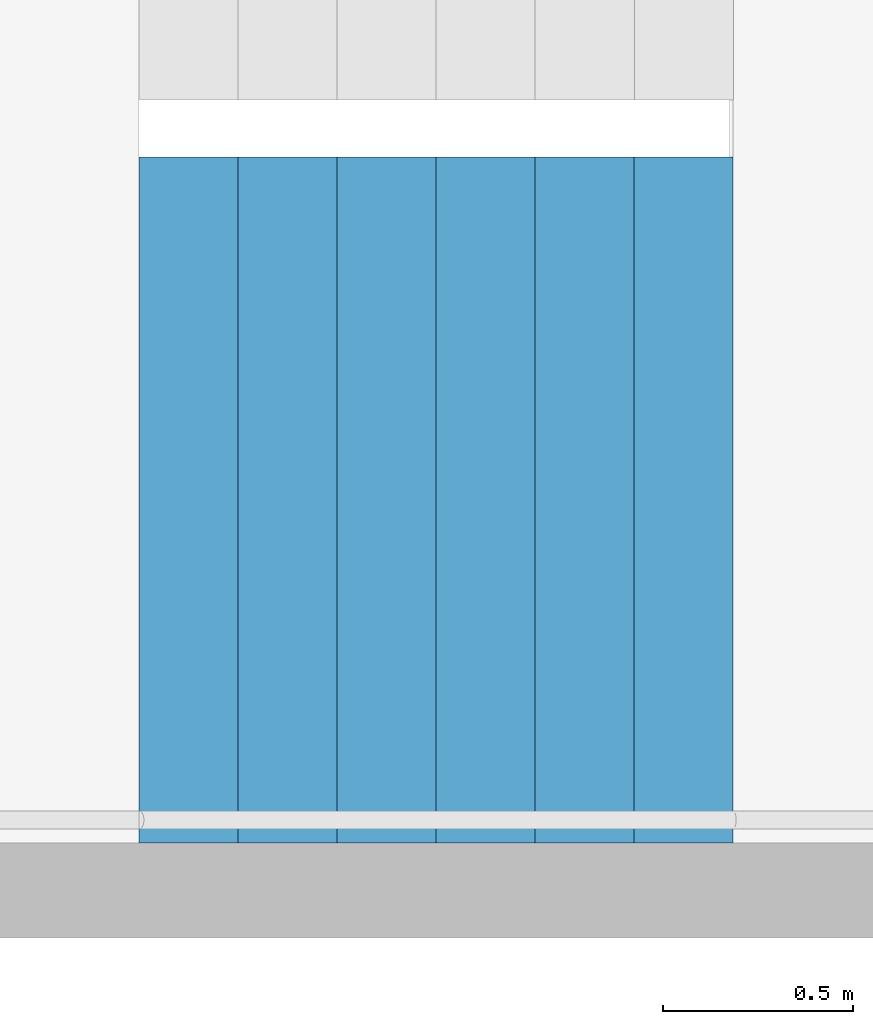
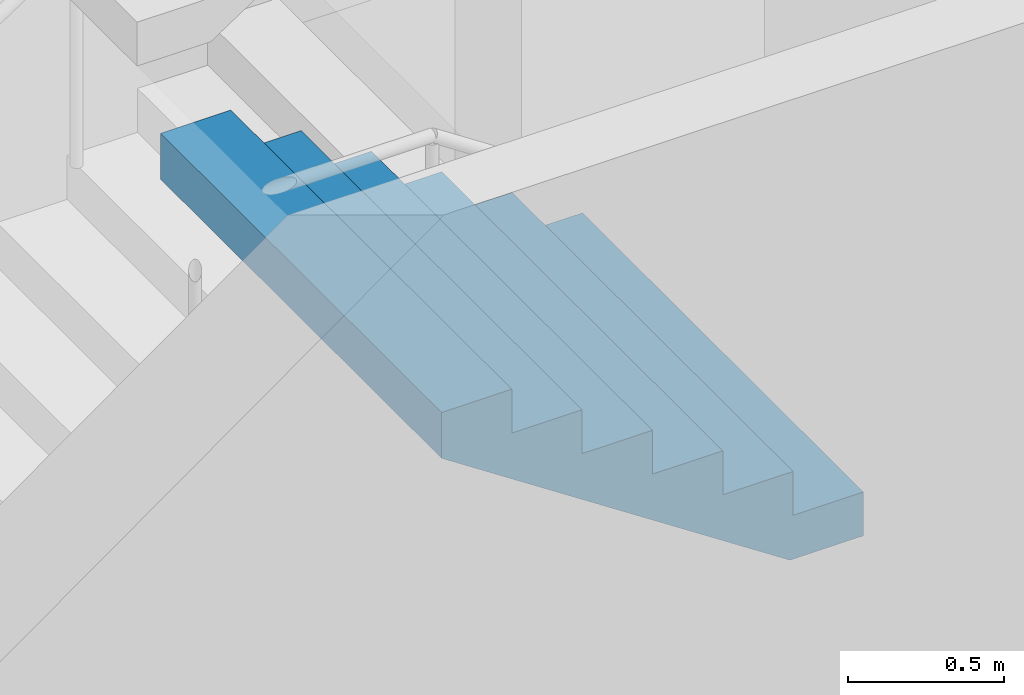
# One storey, part 40 of 53: 1 stair flight, 1 element without a shape of its own.
"""IFC4 building model written with IfcOpenShell, lengths in metres."""

from ifc_helpers import new_model, si_unit, direction, frame, origin, place, context, subcontext, project, spatial, triangles, material, type_object, element, aggregate, save


model = new_model("IFC4")

# Units and contexts
model_context = context("Model", 3, precision=1e-05, world=origin(), true_north=direction((0.0, 1.0)))
body_context = subcontext(model_context, "Body", "Model", "MODEL_VIEW")
ifc_project = project(units=[si_unit("LENGTHUNIT", "METRE"), si_unit("AREAUNIT", "SQUARE_METRE"), si_unit("VOLUMEUNIT", "CUBIC_METRE"), si_unit("PLANEANGLEUNIT", "RADIAN"), si_unit("MASSUNIT", "GRAM", prefix="KILO")], contexts=[model_context])

# Site, building, storey
site_placement = place(None, origin())
site = spatial("IfcSite", under=ifc_project, at=site_placement, CompositionType="ELEMENT")
building_placement = place(site_placement, origin())
building = spatial("IfcBuilding", under=site, at=building_placement, Name="Hakoniwa Tower and Hamabe Station Hall", CompositionType="ELEMENT")
storey_placement = place(building_placement, frame((0.0, 0.0, 15.0)))
storey = spatial("IfcBuildingStorey", under=building, at=storey_placement, Name="L03", CompositionType="ELEMENT", Elevation=15.0)

# Stair, stair flight
ifc_material_1 = material(Name="Concrete C40", Category="concrete")
stair_type = type_object("IfcStairType", Name="ESCAPE STAIR 1800", PredefinedType="HALF_TURN_STAIR", material=ifc_material_1)
stair_placement = place(storey_placement, origin())
stair = element("IfcStair", 1, at=stair_placement, inside=storey, type_object=stair_type, Name="Escape stair ST-3 L03", PredefinedType="HALF_TURN_STAIR")
ifc_material_2 = material(Name="Concrete C40", Category="concrete")
stair_flight_type = type_object("IfcStairFlightType", Name="STAIR FLIGHT 1800", PredefinedType="STRAIGHT", material=ifc_material_2)
stair_flight_placement = place(storey_placement, frame((24.39990234375, 4.64990234375, 2.39990234375), z_axis=(0.0, 0.0, 1.0), x_axis=(-1.0, 0.0, 0.0)))
stair_flight = element("IfcStairFlight", 2, at=stair_flight_placement, type_object=stair_flight_type, Name="ST-3 flight 3", NumberOfRisers=7, NumberOfTreads=6, PredefinedType="STRAIGHT", RiserHeight=0.171428571, TreadLength=0.26, context=body_context, shape_type="Tessellation", body=[
    triangles([(0.0, 0.89990234375, 0.0), (0.260009765625, 0.89990234375, 0.0), (0.272216796875, 0.89990234375, 0.0), (0.52001953125, 0.89990234375, 0.163330078125), (0.780029296875, 0.89990234375, 0.334716796875), (1.0400390625, 0.89990234375, 0.506103515625), (1.300048828125, 0.89990234375, 0.677490234375), (1.56005859375, 0.89990234375, 0.84912109375), (1.56005859375, 0.89990234375, 1.028564453125), (1.300048828125, 0.89990234375, 1.028564453125), (1.300048828125, 0.89990234375, 0.857177734375), (1.0400390625, 0.89990234375, 0.857177734375), (1.0400390625, 0.89990234375, 0.685791015625), (0.780029296875, 0.89990234375, 0.685791015625), (0.780029296875, 0.89990234375, 0.514404296875), (0.52001953125, 0.89990234375, 0.514404296875), (0.52001953125, 0.89990234375, 0.3427734375), (0.272216796875, 0.89990234375, 0.3427734375), (0.260009765625, 0.89990234375, 0.3427734375), (0.260009765625, 0.89990234375, 0.17138671875), (0.0, 0.89990234375, 0.17138671875), (0.0, 0.06005859375, 0.0), (0.260009765625, 0.06005859375, 0.0), (0.272216796875, 0.06005859375, 0.0), (0.52001953125, 0.06005859375, 0.163330078125), (0.780029296875, 0.06005859375, 0.334716796875), (1.0400390625, 0.06005859375, 0.506103515625), (1.300048828125, 0.06005859375, 0.677490234375), (1.56005859375, 0.06005859375, 0.84912109375), (1.56005859375, 0.06005859375, 1.028564453125), (1.300048828125, 0.06005859375, 1.028564453125), (1.300048828125, 0.06005859375, 0.857177734375), (1.0400390625, 0.06005859375, 0.857177734375), (1.0400390625, 0.06005859375, 0.685791015625), (0.780029296875, 0.06005859375, 0.685791015625), (0.780029296875, 0.06005859375, 0.514404296875), (0.52001953125, 0.06005859375, 0.514404296875), (0.52001953125, 0.06005859375, 0.3427734375), (0.272216796875, 0.06005859375, 0.3427734375), (0.260009765625, 0.06005859375, 0.3427734375), (0.260009765625, 0.06005859375, 0.17138671875), (0.0, 0.06005859375, 0.17138671875), (0.0, 0.049072265625, 0.0), (0.260009765625, 0.049072265625, 0.0), (0.272216796875, 0.049072265625, 0.0), (0.52001953125, 0.049072265625, 0.163330078125), (0.780029296875, 0.049072265625, 0.334716796875), (1.0400390625, 0.049072265625, 0.506103515625), (1.300048828125, 0.049072265625, 0.677490234375), (1.56005859375, 0.049072265625, 0.84912109375), (1.56005859375, 0.049072265625, 1.028564453125), (1.300048828125, 0.049072265625, 1.028564453125), (1.300048828125, 0.049072265625, 0.857177734375), (1.0400390625, 0.049072265625, 0.857177734375), (1.0400390625, 0.049072265625, 0.685791015625), (0.780029296875, 0.049072265625, 0.685791015625), (0.780029296875, 0.049072265625, 0.514404296875), (0.52001953125, 0.049072265625, 0.514404296875), (0.52001953125, 0.049072265625, 0.3427734375), (0.272216796875, 0.049072265625, 0.3427734375), (0.260009765625, 0.049072265625, 0.3427734375), (0.260009765625, 0.049072265625, 0.17138671875), (0.0, 0.049072265625, 0.17138671875), (0.0, 0.0380859375, 0.0), (0.260009765625, 0.0380859375, 0.0), (0.272216796875, 0.0380859375, 0.0), (0.52001953125, 0.0380859375, 0.163330078125), (0.780029296875, 0.0380859375, 0.334716796875), (1.0400390625, 0.0380859375, 0.506103515625), (1.300048828125, 0.0380859375, 0.677490234375), (1.56005859375, 0.0380859375, 0.84912109375), (1.56005859375, 0.0380859375, 1.028564453125), (1.300048828125, 0.0380859375, 1.028564453125), (1.300048828125, 0.0380859375, 0.857177734375), (1.0400390625, 0.0380859375, 0.857177734375), (1.0400390625, 0.0380859375, 0.685791015625), (0.780029296875, 0.0380859375, 0.685791015625), (0.780029296875, 0.0380859375, 0.514404296875), (0.52001953125, 0.0380859375, 0.514404296875), (0.52001953125, 0.0380859375, 0.3427734375), (0.272216796875, 0.0380859375, 0.3427734375), (0.260009765625, 0.0380859375, 0.3427734375), (0.260009765625, 0.0380859375, 0.17138671875), (0.0, 0.0380859375, 0.17138671875), (0.0, 0.02734375, 0.0), (0.260009765625, 0.02734375, 0.0), (0.272216796875, 0.02734375, 0.0), (0.52001953125, 0.02734375, 0.163330078125), (0.780029296875, 0.02734375, 0.334716796875), (1.0400390625, 0.02734375, 0.506103515625), (1.300048828125, 0.02734375, 0.677490234375), (1.56005859375, 0.02734375, 0.84912109375), (1.56005859375, 0.02734375, 1.028564453125), (1.300048828125, 0.02734375, 1.028564453125), (1.300048828125, 0.02734375, 0.857177734375), (1.0400390625, 0.02734375, 0.857177734375), (1.0400390625, 0.02734375, 0.685791015625), (0.780029296875, 0.02734375, 0.685791015625), (0.780029296875, 0.02734375, 0.514404296875), (0.52001953125, 0.02734375, 0.514404296875), (0.52001953125, 0.02734375, 0.3427734375), (0.272216796875, 0.02734375, 0.3427734375), (0.260009765625, 0.02734375, 0.3427734375), (0.260009765625, 0.02734375, 0.17138671875), (0.0, 0.02734375, 0.17138671875), (0.0, 0.016357421875, 0.0), (0.260009765625, 0.016357421875, 0.0), (0.272216796875, 0.016357421875, 0.0), (0.52001953125, 0.016357421875, 0.163330078125), (0.780029296875, 0.016357421875, 0.334716796875), (1.0400390625, 0.016357421875, 0.506103515625), (1.300048828125, 0.016357421875, 0.677490234375), (1.56005859375, 0.016357421875, 0.84912109375), (1.56005859375, 0.016357421875, 1.028564453125), (1.300048828125, 0.016357421875, 1.028564453125), (1.300048828125, 0.016357421875, 0.857177734375), (1.0400390625, 0.016357421875, 0.857177734375), (1.0400390625, 0.016357421875, 0.685791015625), (0.780029296875, 0.016357421875, 0.685791015625), (0.780029296875, 0.016357421875, 0.514404296875), (0.52001953125, 0.016357421875, 0.514404296875), (0.52001953125, 0.016357421875, 0.3427734375), (0.272216796875, 0.016357421875, 0.3427734375), (0.260009765625, 0.016357421875, 0.3427734375), (0.260009765625, 0.016357421875, 0.17138671875), (0.0, 0.016357421875, 0.17138671875), (0.0, 0.00537109375, 0.0), (0.260009765625, 0.00537109375, 0.0), (0.272216796875, 0.00537109375, 0.0), (0.52001953125, 0.00537109375, 0.163330078125), (0.780029296875, 0.00537109375, 0.334716796875), (1.0400390625, 0.00537109375, 0.506103515625), (1.300048828125, 0.00537109375, 0.677490234375), (1.56005859375, 0.00537109375, 0.84912109375), (1.56005859375, 0.00537109375, 1.028564453125), (1.300048828125, 0.00537109375, 1.028564453125), (1.300048828125, 0.00537109375, 0.857177734375), (1.0400390625, 0.00537109375, 0.857177734375), (1.0400390625, 0.00537109375, 0.685791015625), (0.780029296875, 0.00537109375, 0.685791015625), (0.780029296875, 0.00537109375, 0.514404296875), (0.52001953125, 0.00537109375, 0.514404296875), (0.52001953125, 0.00537109375, 0.3427734375), (0.272216796875, 0.00537109375, 0.3427734375), (0.260009765625, 0.00537109375, 0.3427734375), (0.260009765625, 0.00537109375, 0.17138671875), (0.0, 0.00537109375, 0.17138671875), (0.0, -0.00537109375, 0.0), (0.260009765625, -0.00537109375, 0.0), (0.272216796875, -0.00537109375, 0.0), (0.52001953125, -0.00537109375, 0.163330078125), (0.780029296875, -0.00537109375, 0.334716796875), (1.0400390625, -0.00537109375, 0.506103515625), (1.300048828125, -0.00537109375, 0.677490234375), (1.56005859375, -0.00537109375, 0.84912109375), (1.56005859375, -0.00537109375, 1.028564453125), (1.300048828125, -0.00537109375, 1.028564453125), (1.300048828125, -0.00537109375, 0.857177734375), (1.0400390625, -0.00537109375, 0.857177734375), (1.0400390625, -0.00537109375, 0.685791015625), (0.780029296875, -0.00537109375, 0.685791015625), (0.780029296875, -0.00537109375, 0.514404296875), (0.52001953125, -0.00537109375, 0.514404296875), (0.52001953125, -0.00537109375, 0.3427734375), (0.272216796875, -0.00537109375, 0.3427734375), (0.260009765625, -0.00537109375, 0.3427734375), (0.260009765625, -0.00537109375, 0.17138671875), (0.0, -0.00537109375, 0.17138671875), (0.0, -0.016357421875, 0.0), (0.260009765625, -0.016357421875, 0.0), (0.272216796875, -0.016357421875, 0.0), (0.52001953125, -0.016357421875, 0.163330078125), (0.780029296875, -0.016357421875, 0.334716796875), (1.0400390625, -0.016357421875, 0.506103515625), (1.300048828125, -0.016357421875, 0.677490234375), (1.56005859375, -0.016357421875, 0.84912109375), (1.56005859375, -0.016357421875, 1.028564453125), (1.300048828125, -0.016357421875, 1.028564453125), (1.300048828125, -0.016357421875, 0.857177734375), (1.0400390625, -0.016357421875, 0.857177734375), (1.0400390625, -0.016357421875, 0.685791015625), (0.780029296875, -0.016357421875, 0.685791015625), (0.780029296875, -0.016357421875, 0.514404296875), (0.52001953125, -0.016357421875, 0.514404296875), (0.52001953125, -0.016357421875, 0.3427734375), (0.272216796875, -0.016357421875, 0.3427734375), (0.260009765625, -0.016357421875, 0.3427734375), (0.260009765625, -0.016357421875, 0.17138671875), (0.0, -0.016357421875, 0.17138671875), (0.0, -0.02734375, 0.0), (0.260009765625, -0.02734375, 0.0), (0.272216796875, -0.02734375, 0.0), (0.52001953125, -0.02734375, 0.163330078125), (0.780029296875, -0.02734375, 0.334716796875), (1.0400390625, -0.02734375, 0.506103515625), (1.300048828125, -0.02734375, 0.677490234375), (1.56005859375, -0.02734375, 0.84912109375), (1.56005859375, -0.02734375, 1.028564453125), (1.300048828125, -0.02734375, 1.028564453125), (1.300048828125, -0.02734375, 0.857177734375), (1.0400390625, -0.02734375, 0.857177734375), (1.0400390625, -0.02734375, 0.685791015625), (0.780029296875, -0.02734375, 0.685791015625), (0.780029296875, -0.02734375, 0.514404296875), (0.52001953125, -0.02734375, 0.514404296875), (0.52001953125, -0.02734375, 0.3427734375), (0.272216796875, -0.02734375, 0.3427734375), (0.260009765625, -0.02734375, 0.3427734375), (0.260009765625, -0.02734375, 0.17138671875), (0.0, -0.02734375, 0.17138671875), (0.0, -0.0380859375, 0.0), (0.260009765625, -0.0380859375, 0.0), (0.272216796875, -0.0380859375, 0.0), (0.52001953125, -0.0380859375, 0.163330078125), (0.780029296875, -0.0380859375, 0.334716796875), (1.0400390625, -0.0380859375, 0.506103515625), (1.300048828125, -0.0380859375, 0.677490234375), (1.56005859375, -0.0380859375, 0.84912109375), (1.56005859375, -0.0380859375, 1.028564453125), (1.300048828125, -0.0380859375, 1.028564453125), (1.300048828125, -0.0380859375, 0.857177734375), (1.0400390625, -0.0380859375, 0.857177734375), (1.0400390625, -0.0380859375, 0.685791015625), (0.780029296875, -0.0380859375, 0.685791015625), (0.780029296875, -0.0380859375, 0.514404296875), (0.52001953125, -0.0380859375, 0.514404296875), (0.52001953125, -0.0380859375, 0.3427734375), (0.272216796875, -0.0380859375, 0.3427734375), (0.260009765625, -0.0380859375, 0.3427734375), (0.260009765625, -0.0380859375, 0.17138671875), (0.0, -0.0380859375, 0.17138671875), (0.0, -0.049072265625, 0.0), (0.260009765625, -0.049072265625, 0.0), (0.272216796875, -0.049072265625, 0.0), (0.52001953125, -0.049072265625, 0.163330078125), (0.780029296875, -0.049072265625, 0.334716796875), (1.0400390625, -0.049072265625, 0.506103515625), (1.300048828125, -0.049072265625, 0.677490234375), (1.56005859375, -0.049072265625, 0.84912109375), (1.56005859375, -0.049072265625, 1.028564453125), (1.300048828125, -0.049072265625, 1.028564453125), (1.300048828125, -0.049072265625, 0.857177734375), (1.0400390625, -0.049072265625, 0.857177734375), (1.0400390625, -0.049072265625, 0.685791015625), (0.780029296875, -0.049072265625, 0.685791015625), (0.780029296875, -0.049072265625, 0.514404296875), (0.52001953125, -0.049072265625, 0.514404296875), (0.52001953125, -0.049072265625, 0.3427734375), (0.272216796875, -0.049072265625, 0.3427734375), (0.260009765625, -0.049072265625, 0.3427734375), (0.260009765625, -0.049072265625, 0.17138671875), (0.0, -0.049072265625, 0.17138671875), (0.0, -0.06005859375, 0.0), (0.260009765625, -0.06005859375, 0.0), (0.272216796875, -0.06005859375, 0.0), (0.52001953125, -0.06005859375, 0.163330078125), (0.780029296875, -0.06005859375, 0.334716796875), (1.0400390625, -0.06005859375, 0.506103515625), (1.300048828125, -0.06005859375, 0.677490234375), (1.56005859375, -0.06005859375, 0.84912109375), (1.56005859375, -0.06005859375, 1.028564453125), (1.300048828125, -0.06005859375, 1.028564453125), (1.300048828125, -0.06005859375, 0.857177734375), (1.0400390625, -0.06005859375, 0.857177734375), (1.0400390625, -0.06005859375, 0.685791015625), (0.780029296875, -0.06005859375, 0.685791015625), (0.780029296875, -0.06005859375, 0.514404296875), (0.52001953125, -0.06005859375, 0.514404296875), (0.52001953125, -0.06005859375, 0.3427734375), (0.272216796875, -0.06005859375, 0.3427734375), (0.260009765625, -0.06005859375, 0.3427734375), (0.260009765625, -0.06005859375, 0.17138671875), (0.0, -0.06005859375, 0.17138671875), (0.0, -0.89990234375, 0.0), (0.260009765625, -0.89990234375, 0.0), (0.272216796875, -0.89990234375, 0.0), (0.52001953125, -0.89990234375, 0.163330078125), (0.780029296875, -0.89990234375, 0.334716796875), (1.0400390625, -0.89990234375, 0.506103515625), (1.300048828125, -0.89990234375, 0.677490234375), (1.56005859375, -0.89990234375, 0.84912109375), (1.56005859375, -0.89990234375, 1.028564453125), (1.300048828125, -0.89990234375, 1.028564453125), (1.300048828125, -0.89990234375, 0.857177734375), (1.0400390625, -0.89990234375, 0.857177734375), (1.0400390625, -0.89990234375, 0.685791015625), (0.780029296875, -0.89990234375, 0.685791015625), (0.780029296875, -0.89990234375, 0.514404296875), (0.52001953125, -0.89990234375, 0.514404296875), (0.52001953125, -0.89990234375, 0.3427734375), (0.272216796875, -0.89990234375, 0.3427734375), (0.260009765625, -0.89990234375, 0.3427734375), (0.260009765625, -0.89990234375, 0.17138671875), (0.0, -0.89990234375, 0.17138671875)], [[2, 21, 20], [275, 293, 294], [2, 1, 21], [275, 294, 274], [3, 19, 18], [276, 291, 292], [3, 20, 19], [276, 292, 293], [3, 2, 20], [276, 293, 275], [4, 18, 17], [277, 290, 291], [4, 3, 18], [277, 291, 276], [5, 16, 15], [278, 288, 289], [5, 17, 16], [278, 289, 290], [5, 4, 17], [278, 290, 277], [6, 14, 13], [279, 286, 287], [6, 15, 14], [279, 287, 288], [6, 5, 15], [279, 288, 278], [7, 12, 11], [280, 284, 285], [7, 13, 12], [280, 285, 286], [7, 6, 13], [280, 286, 279], [8, 10, 9], [281, 282, 283], [8, 11, 10], [281, 283, 284], [8, 7, 11], [281, 284, 280], [1, 2, 23], [1, 23, 22], [22, 23, 44], [22, 44, 43], [43, 44, 65], [43, 65, 64], [64, 65, 86], [64, 86, 85], [85, 86, 107], [85, 107, 106], [106, 107, 128], [106, 128, 127], [127, 128, 149], [127, 149, 148], [148, 149, 170], [148, 170, 169], [169, 170, 191], [169, 191, 190], [190, 191, 212], [190, 212, 211], [211, 212, 233], [211, 233, 232], [232, 233, 254], [232, 254, 253], [253, 254, 275], [253, 275, 274], [2, 3, 24], [2, 24, 23], [23, 24, 45], [23, 45, 44], [44, 45, 66], [44, 66, 65], [65, 66, 87], [65, 87, 86], [86, 87, 108], [86, 108, 107], [107, 108, 129], [107, 129, 128], [128, 129, 150], [128, 150, 149], [149, 150, 171], [149, 171, 170], [170, 171, 192], [170, 192, 191], [191, 192, 213], [191, 213, 212], [212, 213, 234], [212, 234, 233], [233, 234, 255], [233, 255, 254], [254, 255, 276], [254, 276, 275], [3, 4, 25], [3, 25, 24], [24, 25, 46], [24, 46, 45], [45, 46, 67], [45, 67, 66], [66, 67, 88], [66, 88, 87], [87, 88, 109], [87, 109, 108], [108, 109, 130], [108, 130, 129], [129, 130, 151], [129, 151, 150], [150, 151, 172], [150, 172, 171], [171, 172, 193], [171, 193, 192], [192, 193, 214], [192, 214, 213], [213, 214, 235], [213, 235, 234], [234, 235, 256], [234, 256, 255], [255, 256, 277], [255, 277, 276], [4, 5, 26], [4, 26, 25], [25, 26, 47], [25, 47, 46], [46, 47, 68], [46, 68, 67], [67, 68, 89], [67, 89, 88], [88, 89, 110], [88, 110, 109], [109, 110, 131], [109, 131, 130], [130, 131, 152], [130, 152, 151], [151, 152, 173], [151, 173, 172], [172, 173, 194], [172, 194, 193], [193, 194, 215], [193, 215, 214], [214, 215, 236], [214, 236, 235], [235, 236, 257], [235, 257, 256], [256, 257, 278], [256, 278, 277], [5, 6, 27], [5, 27, 26], [26, 27, 48], [26, 48, 47], [47, 48, 69], [47, 69, 68], [68, 69, 90], [68, 90, 89], [89, 90, 111], [89, 111, 110], [110, 111, 132], [110, 132, 131], [131, 132, 153], [131, 153, 152], [152, 153, 174], [152, 174, 173], [173, 174, 195], [173, 195, 194], [194, 195, 216], [194, 216, 215], [215, 216, 237], [215, 237, 236], [236, 237, 258], [236, 258, 257], [257, 258, 279], [257, 279, 278], [6, 7, 28], [6, 28, 27], [27, 28, 49], [27, 49, 48], [48, 49, 70], [48, 70, 69], [69, 70, 91], [69, 91, 90], [90, 91, 112], [90, 112, 111], [111, 112, 133], [111, 133, 132], [132, 133, 154], [132, 154, 153], [153, 154, 175], [153, 175, 174], [174, 175, 196], [174, 196, 195], [195, 196, 217], [195, 217, 216], [216, 217, 238], [216, 238, 237], [237, 238, 259], [237, 259, 258], [258, 259, 280], [258, 280, 279], [7, 8, 29], [7, 29, 28], [28, 29, 50], [28, 50, 49], [49, 50, 71], [49, 71, 70], [70, 71, 92], [70, 92, 91], [91, 92, 113], [91, 113, 112], [112, 113, 134], [112, 134, 133], [133, 134, 155], [133, 155, 154], [154, 155, 176], [154, 176, 175], [175, 176, 197], [175, 197, 196], [196, 197, 218], [196, 218, 217], [217, 218, 239], [217, 239, 238], [238, 239, 260], [238, 260, 259], [259, 260, 281], [259, 281, 280], [8, 9, 30], [8, 30, 29], [29, 30, 51], [29, 51, 50], [50, 51, 72], [50, 72, 71], [71, 72, 93], [71, 93, 92], [92, 93, 114], [92, 114, 113], [113, 114, 135], [113, 135, 134], [134, 135, 156], [134, 156, 155], [155, 156, 177], [155, 177, 176], [176, 177, 198], [176, 198, 197], [197, 198, 219], [197, 219, 218], [218, 219, 240], [218, 240, 239], [239, 240, 261], [239, 261, 260], [260, 261, 282], [260, 282, 281], [9, 10, 31], [9, 31, 30], [30, 31, 52], [30, 52, 51], [51, 52, 73], [51, 73, 72], [72, 73, 94], [72, 94, 93], [93, 94, 115], [93, 115, 114], [114, 115, 136], [114, 136, 135], [135, 136, 157], [135, 157, 156], [156, 157, 178], [156, 178, 177], [177, 178, 199], [177, 199, 198], [198, 199, 220], [198, 220, 219], [219, 220, 241], [219, 241, 240], [240, 241, 262], [240, 262, 261], [261, 262, 283], [261, 283, 282], [10, 11, 32], [10, 32, 31], [31, 32, 53], [31, 53, 52], [52, 53, 74], [52, 74, 73], [73, 74, 95], [73, 95, 94], [94, 95, 116], [94, 116, 115], [115, 116, 137], [115, 137, 136], [136, 137, 158], [136, 158, 157], [157, 158, 179], [157, 179, 178], [178, 179, 200], [178, 200, 199], [199, 200, 221], [199, 221, 220], [220, 221, 242], [220, 242, 241], [241, 242, 263], [241, 263, 262], [262, 263, 284], [262, 284, 283], [11, 12, 33], [11, 33, 32], [32, 33, 54], [32, 54, 53], [53, 54, 75], [53, 75, 74], [74, 75, 96], [74, 96, 95], [95, 96, 117], [95, 117, 116], [116, 117, 138], [116, 138, 137], [137, 138, 159], [137, 159, 158], [158, 159, 180], [158, 180, 179], [179, 180, 201], [179, 201, 200], [200, 201, 222], [200, 222, 221], [221, 222, 243], [221, 243, 242], [242, 243, 264], [242, 264, 263], [263, 264, 285], [263, 285, 284], [12, 13, 34], [12, 34, 33], [33, 34, 55], [33, 55, 54], [54, 55, 76], [54, 76, 75], [75, 76, 97], [75, 97, 96], [96, 97, 118], [96, 118, 117], [117, 118, 139], [117, 139, 138], [138, 139, 160], [138, 160, 159], [159, 160, 181], [159, 181, 180], [180, 181, 202], [180, 202, 201], [201, 202, 223], [201, 223, 222], [222, 223, 244], [222, 244, 243], [243, 244, 265], [243, 265, 264], [264, 265, 286], [264, 286, 285], [13, 14, 35], [13, 35, 34], [34, 35, 56], [34, 56, 55], [55, 56, 77], [55, 77, 76], [76, 77, 98], [76, 98, 97], [97, 98, 119], [97, 119, 118], [118, 119, 140], [118, 140, 139], [139, 140, 161], [139, 161, 160], [160, 161, 182], [160, 182, 181], [181, 182, 203], [181, 203, 202], [202, 203, 224], [202, 224, 223], [223, 224, 245], [223, 245, 244], [244, 245, 266], [244, 266, 265], [265, 266, 287], [265, 287, 286], [14, 15, 36], [14, 36, 35], [35, 36, 57], [35, 57, 56], [56, 57, 78], [56, 78, 77], [77, 78, 99], [77, 99, 98], [98, 99, 120], [98, 120, 119], [119, 120, 141], [119, 141, 140], [140, 141, 162], [140, 162, 161], [161, 162, 183], [161, 183, 182], [182, 183, 204], [182, 204, 203], [203, 204, 225], [203, 225, 224], [224, 225, 246], [224, 246, 245], [245, 246, 267], [245, 267, 266], [266, 267, 288], [266, 288, 287], [15, 16, 37], [15, 37, 36], [36, 37, 58], [36, 58, 57], [57, 58, 79], [57, 79, 78], [78, 79, 100], [78, 100, 99], [99, 100, 121], [99, 121, 120], [120, 121, 142], [120, 142, 141], [141, 142, 163], [141, 163, 162], [162, 163, 184], [162, 184, 183], [183, 184, 205], [183, 205, 204], [204, 205, 226], [204, 226, 225], [225, 226, 247], [225, 247, 246], [246, 247, 268], [246, 268, 267], [267, 268, 289], [267, 289, 288], [16, 17, 38], [16, 38, 37], [37, 38, 59], [37, 59, 58], [58, 59, 80], [58, 80, 79], [79, 80, 101], [79, 101, 100], [100, 101, 122], [100, 122, 121], [121, 122, 143], [121, 143, 142], [142, 143, 164], [142, 164, 163], [163, 164, 185], [163, 185, 184], [184, 185, 206], [184, 206, 205], [205, 206, 227], [205, 227, 226], [226, 227, 248], [226, 248, 247], [247, 248, 269], [247, 269, 268], [268, 269, 290], [268, 290, 289], [17, 18, 39], [17, 39, 38], [38, 39, 60], [38, 60, 59], [59, 60, 81], [59, 81, 80], [80, 81, 102], [80, 102, 101], [101, 102, 123], [101, 123, 122], [122, 123, 144], [122, 144, 143], [143, 144, 165], [143, 165, 164], [164, 165, 186], [164, 186, 185], [185, 186, 207], [185, 207, 206], [206, 207, 228], [206, 228, 227], [227, 228, 249], [227, 249, 248], [248, 249, 270], [248, 270, 269], [269, 270, 291], [269, 291, 290], [18, 19, 40], [18, 40, 39], [39, 40, 61], [39, 61, 60], [60, 61, 82], [60, 82, 81], [81, 82, 103], [81, 103, 102], [102, 103, 124], [102, 124, 123], [123, 124, 145], [123, 145, 144], [144, 145, 166], [144, 166, 165], [165, 166, 187], [165, 187, 186], [186, 187, 208], [186, 208, 207], [207, 208, 229], [207, 229, 228], [228, 229, 250], [228, 250, 249], [249, 250, 271], [249, 271, 270], [270, 271, 292], [270, 292, 291], [19, 20, 41], [19, 41, 40], [40, 41, 62], [40, 62, 61], [61, 62, 83], [61, 83, 82], [82, 83, 104], [82, 104, 103], [103, 104, 125], [103, 125, 124], [124, 125, 146], [124, 146, 145], [145, 146, 167], [145, 167, 166], [166, 167, 188], [166, 188, 187], [187, 188, 209], [187, 209, 208], [208, 209, 230], [208, 230, 229], [229, 230, 251], [229, 251, 250], [250, 251, 272], [250, 272, 271], [271, 272, 293], [271, 293, 292], [20, 21, 42], [20, 42, 41], [41, 42, 63], [41, 63, 62], [62, 63, 84], [62, 84, 83], [83, 84, 105], [83, 105, 104], [104, 105, 126], [104, 126, 125], [125, 126, 147], [125, 147, 146], [146, 147, 168], [146, 168, 167], [167, 168, 189], [167, 189, 188], [188, 189, 210], [188, 210, 209], [209, 210, 231], [209, 231, 230], [230, 231, 252], [230, 252, 251], [251, 252, 273], [251, 273, 272], [272, 273, 294], [272, 294, 293], [21, 1, 22], [21, 22, 42], [42, 22, 43], [42, 43, 63], [63, 43, 64], [63, 64, 84], [84, 64, 85], [84, 85, 105], [105, 85, 106], [105, 106, 126], [126, 106, 127], [126, 127, 147], [147, 127, 148], [147, 148, 168], [168, 148, 169], [168, 169, 189], [189, 169, 190], [189, 190, 210], [210, 190, 211], [210, 211, 231], [231, 211, 232], [231, 232, 252], [252, 232, 253], [252, 253, 273], [273, 253, 274], [273, 274, 294]], closed=True),
])
aggregate(stair, [stair_flight])

save(model, "model.ifc")
